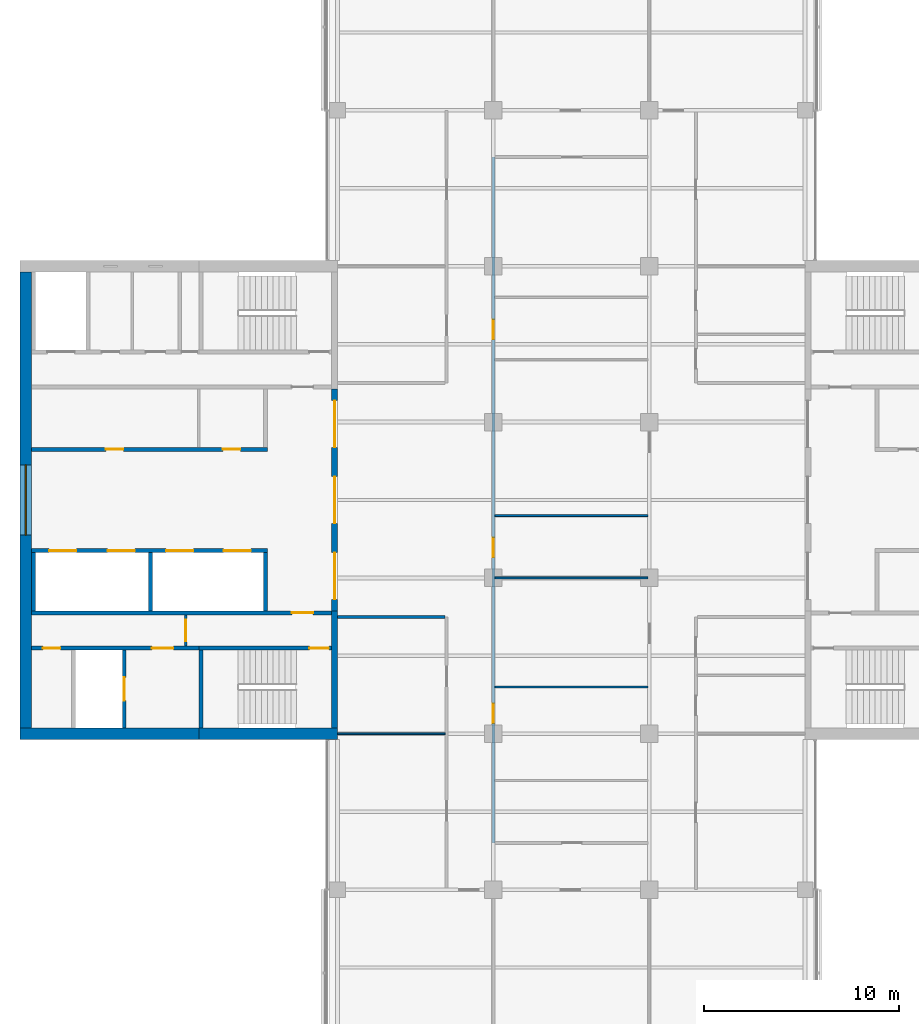
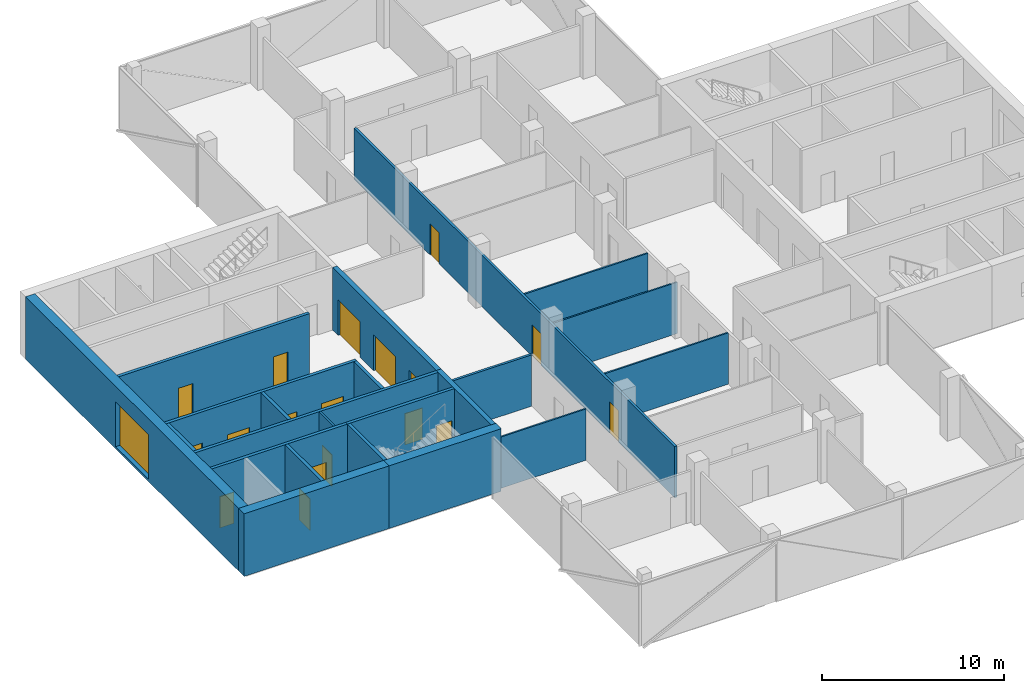
# One storey, part 9 of 15: 22 walls, 18 doors, 1 window, 19 openings.
"""IFC4 building model written with IfcOpenShell, lengths in metres."""

from ifc_helpers import new_model, si_unit, direction, frame, frame_2d, origin, place, context, subcontext, project, spatial, rectangle, extrude, material, layer, layer_set, constituent, constituent_set, type_object, element, fill, save


model = new_model("IFC4")

# Units and contexts
model_context = context("Model", 3, precision=1e-05, world=origin(), true_north=direction((0.0, 1.0)))
body_context = subcontext(model_context, "Body", "Model", "MODEL_VIEW")
ifc_project = project(units=[si_unit("LENGTHUNIT", "METRE"), si_unit("AREAUNIT", "SQUARE_METRE"), si_unit("VOLUMEUNIT", "CUBIC_METRE"), si_unit("PLANEANGLEUNIT", "RADIAN"), si_unit("MASSUNIT", "GRAM", prefix="KILO")], contexts=[model_context])

# Site, building, storey
site_placement = place(None, origin())
site = spatial("IfcSite", under=ifc_project, at=site_placement, CompositionType="ELEMENT")
building_placement = place(site_placement, origin())
building = spatial("IfcBuilding", under=site, at=building_placement, Name="Crosswind Convention Tower", CompositionType="ELEMENT")
storey_placement = place(building_placement, frame((0.0, 0.0, 195.699951171875)))
storey = spatial("IfcBuildingStorey", under=building, at=storey_placement, Name="L41", CompositionType="ELEMENT", Elevation=195.699951171875)

# Wall, openings, doors
ifc_material_1 = material(Name="Concrete C50/60", Category="concrete")
ifc_layer_1 = layer(ifc_material_1, 0.300048828125)
ifc_layer_set_1 = layer_set([ifc_layer_1], Name="Concrete C50/60")
wall_type_1 = type_object("IfcWallType", Name="Concrete inner core wall 300", PredefinedType="SHEAR", material=ifc_layer_set_1)
wall_1_placement = place(storey_placement, frame((112.85009765625, 105.699951171875, 0.0), z_axis=(0.0, 0.0, 1.0), x_axis=(0.0, -1.0, 0.0)))
wall_1 = element("IfcWall", 1, at=wall_1_placement, inside=storey, type_object=wall_type_1, Name="Wall SCR W L41", PredefinedType="SHEAR", context=body_context, shape_type="SweptSolid", body=[
    extrude(rectangle(XDim=11.39990234375, YDim=0.300048828125, at=frame_2d((5.699951171875, 0.0))), origin(), (0.0, 0.0, 1.0), 4.199951171875),
])
opening_1_placement = place(wall_1_placement, frame((0.60009765625, 0.0, 0.0)))
opening_1 = element("IfcOpeningElement", 2, at=opening_1_placement, cuts=wall_1, Name="Opening D100", PredefinedType="OPENING", context=body_context, shape_type="SweptSolid", body=[
    extrude(rectangle(XDim=2.39990234375, YDim=2.39990234375, at=frame_2d((1.199951171875, 1.199951171875))), frame((0.0, 0.159912109375, 0.0), z_axis=(0.0, -1.0, 0.0), x_axis=(1.0, 0.0, 0.0)), (0.0, 0.0, 1.0), 0.320068359375),
])
opening_2_placement = place(wall_1_placement, frame((4.5, 0.0, 0.0)))
opening_2 = element("IfcOpeningElement", 3, at=opening_2_placement, cuts=wall_1, Name="Opening D100", PredefinedType="OPENING", context=body_context, shape_type="SweptSolid", body=[
    extrude(rectangle(XDim=2.39990234375, YDim=2.39990234375, at=frame_2d((1.199951171875, 1.199951171875))), frame((0.0, 0.159912109375, 0.0), z_axis=(0.0, -1.0, 0.0), x_axis=(1.0, 0.0, 0.0)), (0.0, 0.0, 1.0), 0.320068359375),
])
opening_3_placement = place(wall_1_placement, frame((8.39990234375, 0.0, 0.0)))
opening_3 = element("IfcOpeningElement", 4, at=opening_3_placement, cuts=wall_1, Name="Opening D100", PredefinedType="OPENING", context=body_context, shape_type="SweptSolid", body=[
    extrude(rectangle(XDim=2.39990234375, YDim=2.39990234375, at=frame_2d((1.199951171875, 1.199951171875))), frame((0.0, 0.159912109375, 0.0), z_axis=(0.0, -1.0, 0.0), x_axis=(1.0, 0.0, 0.0)), (0.0, 0.0, 1.0), 0.320068359375),
])
ifc_material_2 = material(Name="Steel fire door with glazed vision panels", Category="steel")
door_type_1 = type_object("IfcDoorType", Name="Fire-rated double door 2400x2400", OperationType="DOUBLE_DOOR_SINGLE_SWING", PredefinedType="DOOR", material=ifc_material_2)
door_1_placement = place(opening_1_placement, origin())
door_1 = element("IfcDoor", 5, at=door_1_placement, inside=storey, type_object=door_type_1, Name="Lobby door 1 L41", ObjectType="D100", OperationType="DOUBLE_DOOR_SINGLE_SWING", OverallHeight=2.39990234375, OverallWidth=2.39990234375, PredefinedType="DOOR", context=body_context, shape_type="SweptSolid", body=[
    extrude(rectangle(XDim=2.39990234375, YDim=2.39990234375, at=frame_2d((1.199951171875, 1.199951171875))), frame((0.0, 0.02490234375, 0.0), z_axis=(0.0, -1.0, 0.0), x_axis=(1.0, 0.0, 0.0)), (0.0, 0.0, 1.0), 0.050048828125),
])
fill(opening_1, door_1)
door_2_placement = place(opening_2_placement, origin())
door_2 = element("IfcDoor", 6, at=door_2_placement, inside=storey, type_object=door_type_1, Name="Lobby door 2 L41", ObjectType="D100", OperationType="DOUBLE_DOOR_SINGLE_SWING", OverallHeight=2.39990234375, OverallWidth=2.39990234375, PredefinedType="DOOR", context=body_context, shape_type="SweptSolid", body=[
    extrude(rectangle(XDim=2.39990234375, YDim=2.39990234375, at=frame_2d((1.199951171875, 1.199951171875))), frame((0.0, 0.02490234375, 0.0), z_axis=(0.0, -1.0, 0.0), x_axis=(1.0, 0.0, 0.0)), (0.0, 0.0, 1.0), 0.050048828125),
])
fill(opening_2, door_2)
door_3_placement = place(opening_3_placement, origin())
door_3 = element("IfcDoor", 7, at=door_3_placement, inside=storey, type_object=door_type_1, Name="Lobby door 3 L41", ObjectType="D100", OperationType="DOUBLE_DOOR_SINGLE_SWING", OverallHeight=2.39990234375, OverallWidth=2.39990234375, PredefinedType="DOOR", context=body_context, shape_type="SweptSolid", body=[
    extrude(rectangle(XDim=2.39990234375, YDim=2.39990234375, at=frame_2d((1.199951171875, 1.199951171875))), frame((0.0, 0.02490234375, 0.0), z_axis=(0.0, -1.0, 0.0), x_axis=(1.0, 0.0, 0.0)), (0.0, 0.0, 1.0), 0.050048828125),
])
fill(opening_3, door_3)

# Walls
wall_2_placement = place(storey_placement, frame((112.85009765625, 94.300048828125, 0.0), z_axis=(0.0, 0.0, 1.0), x_axis=(0.0, -1.0, 0.0)))
element("IfcWall", 8, at=wall_2_placement, inside=storey, type_object=wall_type_1, Name="Wall EP W L41", PredefinedType="SHEAR", context=body_context, shape_type="SweptSolid", body=[
    extrude(rectangle(XDim=6.0, YDim=0.300048828125, at=frame_2d((3.0, 0.0))), origin(), (0.0, 0.0, 1.0), 4.199951171875),
])
ifc_layer_2 = layer(ifc_material_1, 0.199951171875)
ifc_layer_set_2 = layer_set([ifc_layer_2], Name="Concrete C50/60")
wall_type_2 = type_object("IfcWallType", Name="Concrete shaft and stair wall 200", PredefinedType="SHEAR", material=ifc_layer_set_2)
for number, where, z_axis, x_axis, name in (
    (9, (109.300048828125, 97.300048828125, 0.0), (0.0, 0.0, 1.0), (0.0, -1.0, 0.0), "Wall RPEND W L41"),
    (10, (103.39990234375, 97.300048828125, 0.0), (0.0, 0.0, 1.0), (0.0, -1.0, 0.0), "Wall RPSEP W L41"),
    (11, (97.39990234375, 97.300048828125, 0.0), (0.0, 0.0, 1.0), (0.0, -1.0, 0.0), "Wall RPEAST W L41"),
):
    element("IfcWall", number, at=place(storey_placement, frame(where, z_axis=z_axis, x_axis=x_axis)), inside=storey, type_object=wall_type_2, Name=name, PredefinedType="SHEAR", context=body_context, shape_type="SweptSolid", body=[
        extrude(rectangle(XDim=3.0, YDim=0.199951171875, at=frame_2d((1.5, 0.0))), origin(), (0.0, 0.0, 1.0), 4.199951171875),
    ])

# Wall, openings, doors
wall_3_placement = place(storey_placement, frame((109.39990234375, 97.39990234375, 0.0), z_axis=(0.0, 0.0, 1.0), x_axis=(-1.0, 0.0, 0.0)))
wall_3 = element("IfcWall", 12, at=wall_3_placement, inside=storey, type_object=wall_type_2, Name="Wall RPFRONT W L41", PredefinedType="SHEAR", context=body_context, shape_type="SweptSolid", body=[
    extrude(rectangle(XDim=12.099853515625, YDim=0.199951171875, at=frame_2d((6.0498046875, 0.0))), origin(), (0.0, 0.0, 1.0), 4.199951171875),
])
opening_4_placement = place(wall_3_placement, frame((0.85009765625, 0.0, 0.0)))
opening_4 = element("IfcOpeningElement", 13, at=opening_4_placement, cuts=wall_3, Name="Opening LD2", PredefinedType="OPENING", context=body_context, shape_type="SweptSolid", body=[
    extrude(rectangle(XDim=1.39990234375, YDim=2.10009765625, at=frame_2d((0.699951171875, 1.050048828125))), frame((0.0, 0.10986328125, 0.0), z_axis=(0.0, -1.0, 0.0), x_axis=(1.0, 0.0, 0.0)), (0.0, 0.0, 1.0), 0.219970703125),
])
opening_5_placement = place(wall_3_placement, frame((3.800048828125, 0.0, 0.0)))
opening_5 = element("IfcOpeningElement", 14, at=opening_5_placement, cuts=wall_3, Name="Opening LD2", PredefinedType="OPENING", context=body_context, shape_type="SweptSolid", body=[
    extrude(rectangle(XDim=1.39990234375, YDim=2.10009765625, at=frame_2d((0.699951171875, 1.050048828125))), frame((0.0, 0.10986328125, 0.0), z_axis=(0.0, -1.0, 0.0), x_axis=(1.0, 0.0, 0.0)), (0.0, 0.0, 1.0), 0.219970703125),
])
opening_6_placement = place(wall_3_placement, frame((6.800048828125, 0.0, 0.0)))
opening_6 = element("IfcOpeningElement", 15, at=opening_6_placement, cuts=wall_3, Name="Opening LD2", PredefinedType="OPENING", context=body_context, shape_type="SweptSolid", body=[
    extrude(rectangle(XDim=1.39990234375, YDim=2.10009765625, at=frame_2d((0.699951171875, 1.050048828125))), frame((0.0, 0.10986328125, 0.0), z_axis=(0.0, -1.0, 0.0), x_axis=(1.0, 0.0, 0.0)), (0.0, 0.0, 1.0), 0.219970703125),
])
opening_7_placement = place(wall_3_placement, frame((9.800048828125, 0.0, 0.0)))
opening_7 = element("IfcOpeningElement", 16, at=opening_7_placement, cuts=wall_3, Name="Opening LD2", PredefinedType="OPENING", context=body_context, shape_type="SweptSolid", body=[
    extrude(rectangle(XDim=1.39990234375, YDim=2.10009765625, at=frame_2d((0.699951171875, 1.050048828125))), frame((0.0, 0.10986328125, 0.0), z_axis=(0.0, -1.0, 0.0), x_axis=(1.0, 0.0, 0.0)), (0.0, 0.0, 1.0), 0.219970703125),
])
ifc_material_3 = material(Name="Stainless steel", Category="steel")
door_type_2 = type_object("IfcDoorType", Name="Lift landing door 1400x2100", OperationType="DOUBLE_DOOR_SLIDING", PredefinedType="DOOR", material=ifc_material_3)
door_4_placement = place(opening_4_placement, origin())
door_4 = element("IfcDoor", 17, at=door_4_placement, inside=storey, type_object=door_type_2, Name="Landing door HR1 L41", ObjectType="LD2", OperationType="DOUBLE_DOOR_SLIDING", OverallHeight=2.10009765625, OverallWidth=1.39990234375, PredefinedType="DOOR", context=body_context, shape_type="SweptSolid", body=[
    extrude(rectangle(XDim=1.39990234375, YDim=2.10009765625, at=frame_2d((0.699951171875, 1.050048828125))), frame((0.0, 0.02490234375, 0.0), z_axis=(0.0, -1.0, 0.0), x_axis=(1.0, 0.0, 0.0)), (0.0, 0.0, 1.0), 0.050048828125),
])
fill(opening_4, door_4)
door_5_placement = place(opening_5_placement, origin())
door_5 = element("IfcDoor", 18, at=door_5_placement, inside=storey, type_object=door_type_2, Name="Landing door HR2 L41", ObjectType="LD2", OperationType="DOUBLE_DOOR_SLIDING", OverallHeight=2.10009765625, OverallWidth=1.39990234375, PredefinedType="DOOR", context=body_context, shape_type="SweptSolid", body=[
    extrude(rectangle(XDim=1.39990234375, YDim=2.10009765625, at=frame_2d((0.699951171875, 1.050048828125))), frame((0.0, 0.02490234375, 0.0), z_axis=(0.0, -1.0, 0.0), x_axis=(1.0, 0.0, 0.0)), (0.0, 0.0, 1.0), 0.050048828125),
])
fill(opening_5, door_5)
door_6_placement = place(opening_6_placement, origin())
door_6 = element("IfcDoor", 19, at=door_6_placement, inside=storey, type_object=door_type_2, Name="Landing door HR3 L41", ObjectType="LD2", OperationType="DOUBLE_DOOR_SLIDING", OverallHeight=2.10009765625, OverallWidth=1.39990234375, PredefinedType="DOOR", context=body_context, shape_type="SweptSolid", body=[
    extrude(rectangle(XDim=1.39990234375, YDim=2.10009765625, at=frame_2d((0.699951171875, 1.050048828125))), frame((0.0, 0.02490234375, 0.0), z_axis=(0.0, -1.0, 0.0), x_axis=(1.0, 0.0, 0.0)), (0.0, 0.0, 1.0), 0.050048828125),
])
fill(opening_6, door_6)
door_7_placement = place(opening_7_placement, origin())
door_7 = element("IfcDoor", 20, at=door_7_placement, inside=storey, type_object=door_type_2, Name="Landing door HR4 L41", ObjectType="LD2", OperationType="DOUBLE_DOOR_SLIDING", OverallHeight=2.10009765625, OverallWidth=1.39990234375, PredefinedType="DOOR", context=body_context, shape_type="SweptSolid", body=[
    extrude(rectangle(XDim=1.39990234375, YDim=2.10009765625, at=frame_2d((0.699951171875, 1.050048828125))), frame((0.0, 0.02490234375, 0.0), z_axis=(0.0, -1.0, 0.0), x_axis=(1.0, 0.0, 0.0)), (0.0, 0.0, 1.0), 0.050048828125),
])
fill(opening_7, door_7)

wall_4_placement = place(storey_placement, frame((109.39990234375, 102.60009765625, 0.0), z_axis=(0.0, 0.0, 1.0), x_axis=(-1.0, 0.0, 0.0)))
wall_4 = element("IfcWall", 21, at=wall_4_placement, inside=storey, type_object=wall_type_2, Name="Wall RMFRONT W L41", PredefinedType="SHEAR", context=body_context, shape_type="SweptSolid", body=[
    extrude(rectangle(XDim=12.099853515625, YDim=0.199951171875, at=frame_2d((6.0498046875, 0.0))), origin(), (0.0, 0.0, 1.0), 4.199951171875),
])
opening_8_placement = place(wall_4_placement, frame((1.384765625, 0.0, 0.0)))
opening_8 = element("IfcOpeningElement", 22, at=opening_8_placement, cuts=wall_4, Name="Opening D106", PredefinedType="OPENING", context=body_context, shape_type="SweptSolid", body=[
    extrude(rectangle(XDim=0.89990234375, YDim=2.10009765625, at=frame_2d((0.449951171875, 1.050048828125))), frame((0.0, 0.10986328125, 0.0), z_axis=(0.0, -1.0, 0.0), x_axis=(1.0, 0.0, 0.0)), (0.0, 0.0, 1.0), 0.219970703125),
])
opening_9_placement = place(wall_4_placement, frame((7.397216796875, 0.0, 0.0)))
opening_9 = element("IfcOpeningElement", 23, at=opening_9_placement, cuts=wall_4, Name="Opening D106", PredefinedType="OPENING", context=body_context, shape_type="SweptSolid", body=[
    extrude(rectangle(XDim=0.89990234375, YDim=2.10009765625, at=frame_2d((0.449951171875, 1.050048828125))), frame((0.0, 0.10986328125, 0.0), z_axis=(0.0, -1.0, 0.0), x_axis=(1.0, 0.0, 0.0)), (0.0, 0.0, 1.0), 0.219970703125),
])
ifc_material_4 = material(Name="Timber door", Category="wood")
door_type_3 = type_object("IfcDoorType", Name="Single leaf door 900x2100", OperationType="NOTDEFINED", PredefinedType="DOOR", material=ifc_material_4)
door_8_placement = place(opening_8_placement, frame((0.89990234375, 0.0, 0.0), z_axis=(0.0, 0.0, 1.0), x_axis=(-1.0, 0.0, 0.0)))
door_8 = element("IfcDoor", 24, at=door_8_placement, inside=storey, type_object=door_type_3, Name="Door to storeroom L41", ObjectType="D106", OperationType="SINGLE_SWING_LEFT", OverallHeight=2.10009765625, OverallWidth=0.89990234375, PredefinedType="DOOR", context=body_context, shape_type="SweptSolid", body=[
    extrude(rectangle(XDim=0.89990234375, YDim=2.10009765625, at=frame_2d((0.449951171875, 1.050048828125))), frame((0.0, 0.02490234375, 0.0), z_axis=(0.0, -1.0, 0.0), x_axis=(1.0, 0.0, 0.0)), (0.0, 0.0, 1.0), 0.050048828125),
])
fill(opening_8, door_8)
door_9_placement = place(opening_9_placement, frame((0.89990234375, 0.0, 0.0), z_axis=(0.0, 0.0, 1.0), x_axis=(-1.0, 0.0, 0.0)))
door_9 = element("IfcDoor", 25, at=door_9_placement, inside=storey, type_object=door_type_3, Name="Door to tenant services room L41", ObjectType="D106", OperationType="SINGLE_SWING_LEFT", OverallHeight=2.10009765625, OverallWidth=0.89990234375, PredefinedType="DOOR", context=body_context, shape_type="SweptSolid", body=[
    extrude(rectangle(XDim=0.89990234375, YDim=2.10009765625, at=frame_2d((0.449951171875, 1.050048828125))), frame((0.0, 0.02490234375, 0.0), z_axis=(0.0, -1.0, 0.0), x_axis=(1.0, 0.0, 0.0)), (0.0, 0.0, 1.0), 0.050048828125),
])
fill(opening_9, door_9)

# Wall, opening, door
wall_5_placement = place(storey_placement, frame((112.699951171875, 94.199951171875, 0.0), z_axis=(0.0, 0.0, 1.0), x_axis=(-1.0, 0.0, 0.0)))
wall_5 = element("IfcWall", 26, at=wall_5_placement, inside=storey, type_object=wall_type_2, Name="Wall HP W L41", PredefinedType="SHEAR", context=body_context, shape_type="SweptSolid", body=[
    extrude(rectangle(XDim=15.39990234375, YDim=0.199951171875, at=frame_2d((7.699951171875, 0.0))), origin(), (0.0, 0.0, 1.0), 4.199951171875),
])
opening_10_placement = place(wall_5_placement, frame((0.949951171875, 0.0, 0.0)))
opening_10 = element("IfcOpeningElement", 27, at=opening_10_placement, cuts=wall_5, Name="Opening D104", PredefinedType="OPENING", context=body_context, shape_type="SweptSolid", body=[
    extrude(rectangle(XDim=1.10009765625, YDim=2.10009765625, at=frame_2d((0.550048828125, 1.050048828125))), frame((0.0, 0.10986328125, 0.0), z_axis=(0.0, -1.0, 0.0), x_axis=(1.0, 0.0, 0.0)), (0.0, 0.0, 1.0), 0.219970703125),
])
ifc_material_5 = material(Name="Steel fire door", Category="steel")
door_type_4 = type_object("IfcDoorType", Name="Fire-rated single door 1100x2100", OperationType="NOTDEFINED", PredefinedType="DOOR", material=ifc_material_5)
door_10_placement = place(opening_10_placement, origin())
door_10 = element("IfcDoor", 28, at=door_10_placement, inside=storey, type_object=door_type_4, Name="Corridor door L41", ObjectType="D104", OperationType="SINGLE_SWING_LEFT", OverallHeight=2.10009765625, OverallWidth=1.10009765625, PredefinedType="DOOR", context=body_context, shape_type="SweptSolid", body=[
    extrude(rectangle(XDim=1.10009765625, YDim=2.10009765625, at=frame_2d((0.550048828125, 1.050048828125))), frame((0.0, 0.02490234375, 0.0), z_axis=(0.0, -1.0, 0.0), x_axis=(1.0, 0.0, 0.0)), (0.0, 0.0, 1.0), 0.050048828125),
])
fill(opening_10, door_10)

# Wall
wall_6_placement = place(storey_placement, frame((106.0, 92.300048828125, 0.0), z_axis=(0.0, 0.0, 1.0), x_axis=(0.0, -1.0, 0.0)))
element("IfcWall", 29, at=wall_6_placement, inside=storey, type_object=wall_type_2, Name="Wall PSE W L41", PredefinedType="SHEAR", context=body_context, shape_type="SweptSolid", body=[
    extrude(rectangle(XDim=4.0, YDim=0.199951171875, at=frame_2d((2.0, 0.0))), origin(), (0.0, 0.0, 1.0), 4.199951171875),
])

# Wall, opening, door
wall_7_placement = place(storey_placement, frame((102.050048828125, 92.300048828125, 0.0), z_axis=(0.0, 0.0, 1.0), x_axis=(0.0, -1.0, 0.0)))
wall_7 = element("IfcWall", 30, at=wall_7_placement, inside=storey, type_object=wall_type_2, Name="Wall PFLW W L41", PredefinedType="SHEAR", context=body_context, shape_type="SweptSolid", body=[
    extrude(rectangle(XDim=4.0, YDim=0.199951171875, at=frame_2d((2.0, 0.0))), origin(), (0.0, 0.0, 1.0), 4.199951171875),
])
opening_11_placement = place(wall_7_placement, frame((1.39990234375, 0.0, 0.0)))
opening_11 = element("IfcOpeningElement", 31, at=opening_11_placement, cuts=wall_7, Name="Opening LD1", PredefinedType="OPENING", context=body_context, shape_type="SweptSolid", body=[
    extrude(rectangle(XDim=1.199951171875, YDim=2.10009765625, at=frame_2d((0.60009765625, 1.050048828125))), frame((0.0, 0.10986328125, 0.0), z_axis=(0.0, -1.0, 0.0), x_axis=(1.0, 0.0, 0.0)), (0.0, 0.0, 1.0), 0.219970703125),
])
door_type_5 = type_object("IfcDoorType", Name="Lift landing door 1200x2100", OperationType="DOUBLE_DOOR_SLIDING", PredefinedType="DOOR", material=ifc_material_3)
door_11_placement = place(opening_11_placement, origin())
door_11 = element("IfcDoor", 32, at=door_11_placement, inside=storey, type_object=door_type_5, Name="Landing door FF2 L41", ObjectType="LD1", OperationType="DOUBLE_DOOR_SLIDING", OverallHeight=2.10009765625, OverallWidth=1.199951171875, PredefinedType="DOOR", context=body_context, shape_type="SweptSolid", body=[
    extrude(rectangle(XDim=1.199951171875, YDim=2.10009765625, at=frame_2d((0.60009765625, 1.050048828125))), frame((0.0, 0.02490234375, 0.0), z_axis=(0.0, -1.0, 0.0), x_axis=(1.0, 0.0, 0.0)), (0.0, 0.0, 1.0), 0.050048828125),
])
fill(opening_11, door_11)

wall_8_placement = place(storey_placement, frame((112.699951171875, 92.39990234375, 0.0), z_axis=(0.0, 0.0, 1.0), x_axis=(-1.0, 0.0, 0.0)))
wall_8 = element("IfcWall", 33, at=wall_8_placement, inside=storey, type_object=wall_type_2, Name="Wall PCW W L41", PredefinedType="SHEAR", context=body_context, shape_type="SweptSolid", body=[
    extrude(rectangle(XDim=6.800048828125, YDim=0.199951171875, at=frame_2d((3.39990234375, 0.0))), origin(), (0.0, 0.0, 1.0), 4.199951171875),
])
opening_12_placement = place(wall_8_placement, frame((0.14990234375, 0.0, 0.0)))
opening_12 = element("IfcOpeningElement", 34, at=opening_12_placement, cuts=wall_8, Name="Opening D103", PredefinedType="OPENING", context=body_context, shape_type="SweptSolid", body=[
    extrude(rectangle(XDim=1.0, YDim=2.10009765625, at=frame_2d((0.5, 1.050048828125))), frame((0.0, 0.10986328125, 0.0), z_axis=(0.0, -1.0, 0.0), x_axis=(1.0, 0.0, 0.0)), (0.0, 0.0, 1.0), 0.219970703125),
])
door_type_6 = type_object("IfcDoorType", Name="Fire-rated single door 1000x2100", OperationType="NOTDEFINED", PredefinedType="DOOR", material=ifc_material_5)
door_12_placement = place(opening_12_placement, origin())
door_12 = element("IfcDoor", 35, at=door_12_placement, inside=storey, type_object=door_type_6, Name="Stair ST3 door L41", ObjectType="D103", OperationType="SINGLE_SWING_LEFT", OverallHeight=2.10009765625, OverallWidth=1.0, PredefinedType="DOOR", context=body_context, shape_type="SweptSolid", body=[
    extrude(rectangle(XDim=1.0, YDim=2.10009765625, at=frame_2d((0.5, 1.050048828125))), frame((0.0, 0.02490234375, 0.0), z_axis=(0.0, -1.0, 0.0), x_axis=(1.0, 0.0, 0.0)), (0.0, 0.0, 1.0), 0.050048828125),
])
fill(opening_12, door_12)

# Wall, openings, doors
wall_9_placement = place(storey_placement, frame((105.89990234375, 92.39990234375, 0.0), z_axis=(0.0, 0.0, 1.0), x_axis=(-1.0, 0.0, 0.0)))
wall_9 = element("IfcWall", 36, at=wall_9_placement, inside=storey, type_object=wall_type_2, Name="Wall PCX W L41", PredefinedType="SHEAR", context=body_context, shape_type="SweptSolid", body=[
    extrude(rectangle(XDim=8.599853515625, YDim=0.199951171875, at=frame_2d((4.2998046875, 0.0))), origin(), (0.0, 0.0, 1.0), 4.199951171875),
])
opening_13_placement = place(wall_9_placement, frame((1.324951171875, 0.0, 0.0)))
opening_13 = element("IfcOpeningElement", 37, at=opening_13_placement, cuts=wall_9, Name="Opening D104", PredefinedType="OPENING", context=body_context, shape_type="SweptSolid", body=[
    extrude(rectangle(XDim=1.10009765625, YDim=2.10009765625, at=frame_2d((0.550048828125, 1.050048828125))), frame((0.0, 0.10986328125, 0.0), z_axis=(0.0, -1.0, 0.0), x_axis=(1.0, 0.0, 0.0)), (0.0, 0.0, 1.0), 0.219970703125),
])
opening_14_placement = place(wall_9_placement, frame((7.125, 0.0, 0.0)))
opening_14 = element("IfcOpeningElement", 38, at=opening_14_placement, cuts=wall_9, Name="Opening D106", PredefinedType="OPENING", context=body_context, shape_type="SweptSolid", body=[
    extrude(rectangle(XDim=0.89990234375, YDim=2.10009765625, at=frame_2d((0.449951171875, 1.050048828125))), frame((0.0, 0.10986328125, 0.0), z_axis=(0.0, -1.0, 0.0), x_axis=(1.0, 0.0, 0.0)), (0.0, 0.0, 1.0), 0.219970703125),
])
door_13_placement = place(opening_13_placement, origin())
door_13 = element("IfcDoor", 39, at=door_13_placement, inside=storey, type_object=door_type_4, Name="Fire-fighting lobby FF2 door L41", ObjectType="D104", OperationType="SINGLE_SWING_RIGHT", OverallHeight=2.10009765625, OverallWidth=1.10009765625, PredefinedType="DOOR", context=body_context, shape_type="SweptSolid", body=[
    extrude(rectangle(XDim=1.10009765625, YDim=2.10009765625, at=frame_2d((0.550048828125, 1.050048828125))), frame((0.0, 0.02490234375, 0.0), z_axis=(0.0, -1.0, 0.0), x_axis=(1.0, 0.0, 0.0)), (0.0, 0.0, 1.0), 0.050048828125),
])
fill(opening_13, door_13)
door_14_placement = place(opening_14_placement, origin())
door_14 = element("IfcDoor", 40, at=door_14_placement, inside=storey, type_object=door_type_3, Name="Door to electrical room L41", ObjectType="D106", OperationType="SINGLE_SWING_RIGHT", OverallHeight=2.10009765625, OverallWidth=0.89990234375, PredefinedType="DOOR", context=body_context, shape_type="SweptSolid", body=[
    extrude(rectangle(XDim=0.89990234375, YDim=2.10009765625, at=frame_2d((0.449951171875, 1.050048828125))), frame((0.0, 0.02490234375, 0.0), z_axis=(0.0, -1.0, 0.0), x_axis=(1.0, 0.0, 0.0)), (0.0, 0.0, 1.0), 0.050048828125),
])
fill(opening_14, door_14)

# Wall, opening, door
ifc_material_6 = material(Name="Gypsum plasterboard partition", Category="gypsum")
ifc_layer_3 = layer(ifc_material_6, 0.125)
ifc_layer_set_3 = layer_set([ifc_layer_3], Name="Drywall partition wall 125")
wall_type_3 = type_object("IfcWallType", Name="Drywall partition wall 125", PredefinedType="PARTITIONING", material=ifc_layer_set_3)
wall_10_placement = place(storey_placement, frame((105.199951171875, 94.10009765625, 0.0), z_axis=(0.0, 0.0, 1.0), x_axis=(0.0, -1.0, 0.0)))
wall_10 = element("IfcWall", 41, at=wall_10_placement, inside=storey, type_object=wall_type_3, Name="Wall PXC1 W L41", PredefinedType="PARTITIONING", context=body_context, shape_type="SweptSolid", body=[
    extrude(rectangle(XDim=1.60009765625, YDim=0.125, at=frame_2d((0.800048828125, 0.0))), origin(), (0.0, 0.0, 1.0), 4.199951171875),
])
opening_15_placement = place(wall_10_placement, frame((0.25, 0.0, 0.0)))
opening_15 = element("IfcOpeningElement", 42, at=opening_15_placement, cuts=wall_10, Name="Opening D104", PredefinedType="OPENING", context=body_context, shape_type="SweptSolid", body=[
    extrude(rectangle(XDim=1.10009765625, YDim=2.10009765625, at=frame_2d((0.550048828125, 1.050048828125))), frame((0.0, 0.072509765625, 0.0), z_axis=(0.0, -1.0, 0.0), x_axis=(1.0, 0.0, 0.0)), (0.0, 0.0, 1.0), 0.14501953125),
])
door_15_placement = place(opening_15_placement, origin())
door_15 = element("IfcDoor", 43, at=door_15_placement, inside=storey, type_object=door_type_4, Name="Corridor smoke door L41", ObjectType="D104", OperationType="SINGLE_SWING_RIGHT", OverallHeight=2.10009765625, OverallWidth=1.10009765625, PredefinedType="DOOR", context=body_context, shape_type="SweptSolid", body=[
    extrude(rectangle(XDim=1.10009765625, YDim=2.10009765625, at=frame_2d((0.550048828125, 1.050048828125))), frame((0.0, 0.02490234375, 0.0), z_axis=(0.0, -1.0, 0.0), x_axis=(1.0, 0.0, 0.0)), (0.0, 0.0, 1.0), 0.050048828125),
])
fill(opening_15, door_15)

# Walls
ifc_material_7 = material(Name="Plasterboard partition", Category="gypsum")
ifc_layer_4 = layer(ifc_material_7, 0.10009765625)
ifc_layer_set_4 = layer_set([ifc_layer_4], Name="PARTITION 100 METAL STUD")
wall_type_4 = type_object("IfcWallType", Name="PARTITION 100 METAL STUD", PredefinedType="PARTITIONING", material=ifc_layer_set_4)
wall_11_placement = place(storey_placement, frame((113.0, 88.0, 0.0), z_axis=(0.0, 0.0, 1.0), x_axis=(1.0, 0.0, 0.0)))
element("IfcWall", 44, at=wall_11_placement, inside=storey, type_object=wall_type_4, Name="Partition wall WT40", PredefinedType="PARTITIONING", context=body_context, shape_type="SweptSolid", body=[
    extrude(rectangle(XDim=5.52490234375, YDim=0.10009765625, at=frame_2d((2.762451171875, 0.0))), origin(), (0.0, 0.0, 1.0), 3.43994140625),
])
for number, where, z_axis, x_axis, name in (
    (45, (121.074951171875, 90.39990234375, 0.0), (0.0, 0.0, 1.0), (1.0, 0.0, 0.0), "Partition wall WT40"),
    (46, (121.074951171875, 96.0, 0.0), (0.0, 0.0, 1.0), (1.0, 0.0, 0.0), "Partition wall WT40"),
    (47, (121.074951171875, 99.199951171875, 0.0), (0.0, 0.0, 1.0), (1.0, 0.0, 0.0), "Partition wall WT40"),
):
    element("IfcWall", number, at=place(storey_placement, frame(where, z_axis=z_axis, x_axis=x_axis)), inside=storey, type_object=wall_type_4, Name=name, PredefinedType="PARTITIONING", context=body_context, shape_type="SweptSolid", body=[
        extrude(rectangle(XDim=7.85009765625, YDim=0.10009765625, at=frame_2d((3.925048828125, 0.0))), origin(), (0.0, 0.0, 1.0), 3.43994140625),
    ])

# Wall, openings, doors
ifc_material_8 = material(Name="Fire-board partition with mineral wool", Category="gypsum")
ifc_layer_5 = layer(ifc_material_8, 0.14990234375)
ifc_layer_set_5 = layer_set([ifc_layer_5], Name="TENANCY WALL 150 TWO-HOUR BOARD")
wall_type_5 = type_object("IfcWallType", Name="TENANCY WALL 150 TWO-HOUR BOARD", PredefinedType="PARTITIONING", material=ifc_layer_set_5)
wall_12_placement = place(storey_placement, frame((121.0, 82.39990234375, 0.0), z_axis=(0.0, 0.0, 1.0), x_axis=(0.0, 1.0, 0.0)))
wall_12 = element("IfcWall", 48, at=wall_12_placement, inside=storey, type_object=wall_type_5, Name="Tenancy wall WT41", PredefinedType="PARTITIONING", context=body_context, shape_type="SweptSolid", body=[
    extrude(rectangle(XDim=35.2001953125, YDim=0.14990234375, at=frame_2d((17.60009765625, 0.0))), origin(), (0.0, 0.0, 1.0), 3.43994140625),
])
opening_16_placement = place(wall_12_placement, frame((6.14990234375, 0.0, 0.0)))
opening_16 = element("IfcOpeningElement", 49, at=opening_16_placement, cuts=wall_12, Name="Opening L41-65", PredefinedType="OPENING", context=body_context, shape_type="SweptSolid", body=[
    extrude(rectangle(XDim=1.0, YDim=2.10009765625, at=frame_2d((0.5, 1.050048828125))), frame((0.0, 0.0849609375, 0.0), z_axis=(0.0, -1.0, 0.0), x_axis=(1.0, 0.0, 0.0)), (0.0, 0.0, 1.0), 0.169921875),
])
opening_17_placement = place(wall_12_placement, frame((14.64990234375, 0.0, 0.0)))
opening_17 = element("IfcOpeningElement", 50, at=opening_17_placement, cuts=wall_12, Name="Opening L41-67", PredefinedType="OPENING", context=body_context, shape_type="SweptSolid", body=[
    extrude(rectangle(XDim=1.0, YDim=2.10009765625, at=frame_2d((0.5, 1.050048828125))), frame((0.0, 0.0849609375, 0.0), z_axis=(0.0, -1.0, 0.0), x_axis=(1.0, 0.0, 0.0)), (0.0, 0.0, 1.0), 0.169921875),
])
opening_18_placement = place(wall_12_placement, frame((25.85009765625, 0.0, 0.0)))
opening_18 = element("IfcOpeningElement", 51, at=opening_18_placement, cuts=wall_12, Name="Opening L41-69", PredefinedType="OPENING", context=body_context, shape_type="SweptSolid", body=[
    extrude(rectangle(XDim=1.0, YDim=2.10009765625, at=frame_2d((0.5, 1.050048828125))), frame((0.0, 0.0849609375, 0.0), z_axis=(0.0, -1.0, 0.0), x_axis=(1.0, 0.0, 0.0)), (0.0, 0.0, 1.0), 0.169921875),
])
ifc_material_9 = material(Name="Timber fire door", Category="wood")
door_type_7 = type_object("IfcDoorType", Name="TENANCY ENTRANCE DOOR 1000X2100 FD30S", OperationType="NOTDEFINED", PredefinedType="DOOR", material=ifc_material_9)
door_16_placement = place(opening_16_placement, frame((1.0, 0.0, 0.0), z_axis=(0.0, 0.0, 1.0), x_axis=(-1.0, 0.0, 0.0)))
door_16 = element("IfcDoor", 52, at=door_16_placement, inside=storey, type_object=door_type_7, Name="Door L41-65", ObjectType="D41", OperationType="SINGLE_SWING_RIGHT", OverallHeight=2.10009765625, OverallWidth=1.0, PredefinedType="DOOR", context=body_context, shape_type="SweptSolid", body=[
    extrude(rectangle(XDim=1.0, YDim=2.10009765625, at=frame_2d((0.5, 1.050048828125))), frame((0.0, 0.02490234375, 0.0), z_axis=(0.0, -1.0, 0.0), x_axis=(1.0, 0.0, 0.0)), (0.0, 0.0, 1.0), 0.050048828125),
])
fill(opening_16, door_16)
door_17_placement = place(opening_17_placement, frame((1.0, 0.0, 0.0), z_axis=(0.0, 0.0, 1.0), x_axis=(-1.0, 0.0, 0.0)))
door_17 = element("IfcDoor", 53, at=door_17_placement, inside=storey, type_object=door_type_7, Name="Door L41-67", ObjectType="D41", OperationType="SINGLE_SWING_RIGHT", OverallHeight=2.10009765625, OverallWidth=1.0, PredefinedType="DOOR", context=body_context, shape_type="SweptSolid", body=[
    extrude(rectangle(XDim=1.0, YDim=2.10009765625, at=frame_2d((0.5, 1.050048828125))), frame((0.0, 0.02490234375, 0.0), z_axis=(0.0, -1.0, 0.0), x_axis=(1.0, 0.0, 0.0)), (0.0, 0.0, 1.0), 0.050048828125),
])
fill(opening_17, door_17)
door_18_placement = place(opening_18_placement, frame((1.0, 0.0, 0.0), z_axis=(0.0, 0.0, 1.0), x_axis=(-1.0, 0.0, 0.0)))
door_18 = element("IfcDoor", 54, at=door_18_placement, inside=storey, type_object=door_type_7, Name="Door L41-69", ObjectType="D41", OperationType="SINGLE_SWING_RIGHT", OverallHeight=2.10009765625, OverallWidth=1.0, PredefinedType="DOOR", context=body_context, shape_type="SweptSolid", body=[
    extrude(rectangle(XDim=1.0, YDim=2.10009765625, at=frame_2d((0.5, 1.050048828125))), frame((0.0, 0.02490234375, 0.0), z_axis=(0.0, -1.0, 0.0), x_axis=(1.0, 0.0, 0.0)), (0.0, 0.0, 1.0), 0.050048828125),
])
fill(opening_18, door_18)

# Walls
wall_13_placement = place(storey_placement, frame((113.0, 94.0, 0.0), z_axis=(0.0, 0.0, 1.0), x_axis=(1.0, 0.0, 0.0)))
element("IfcWall", 55, at=wall_13_placement, inside=storey, type_object=wall_type_5, Name="Tenancy wall WT41", PredefinedType="PARTITIONING", context=body_context, shape_type="SweptSolid", body=[
    extrude(rectangle(XDim=5.52490234375, YDim=0.14990234375, at=frame_2d((2.762451171875, 0.0))), origin(), (0.0, 0.0, 1.0), 3.43994140625),
])
ifc_material_10 = material(Name="Concrete C60/75", Category="concrete")
ifc_constituent_1 = constituent(ifc_material_10, Name="Structure")
ifc_material_11 = material(Name="Terracotta rainscreen", Category="ceramic")
ifc_constituent_2 = constituent(ifc_material_11, Name="Facing")
ifc_constituent_set = constituent_set(constituents=[ifc_constituent_1, ifc_constituent_2], Name="Concrete C60/75, Terracotta rainscreen")
wall_type_6 = type_object("IfcWallType", Name="Terracotta rainscreen on concrete core wall 600", PredefinedType="SHEAR", material=ifc_constituent_set)
wall_14_placement = place(storey_placement, frame((113.0, 88.0, 0.0), z_axis=(0.0, 0.0, 1.0), x_axis=(-1.0, 0.0, 0.0)))
element("IfcWall", 56, at=wall_14_placement, inside=storey, type_object=wall_type_6, Name="Wall N1 W L41", PredefinedType="SHEAR", context=body_context, shape_type="SweptSolid", body=[
    extrude(rectangle(XDim=7.10009765625, YDim=0.60009765625, at=frame_2d((3.550048828125, 0.0))), origin(), (0.0, 0.0, 1.0), 4.199951171875),
])
wall_15_placement = place(storey_placement, frame((105.89990234375, 88.0, 0.0), z_axis=(0.0, 0.0, 1.0), x_axis=(-1.0, 0.0, 0.0)))
element("IfcWall", 57, at=wall_15_placement, inside=storey, type_object=wall_type_6, Name="Wall N2 W L41", PredefinedType="SHEAR", context=body_context, shape_type="SweptSolid", body=[
    extrude(rectangle(XDim=9.199951171875, YDim=0.60009765625, at=frame_2d((4.60009765625, 0.0))), origin(), (0.0, 0.0, 1.0), 4.199951171875),
])

# Wall, opening, window
wall_16_placement = place(storey_placement, frame((97.0, 111.699951171875, 0.0), z_axis=(0.0, 0.0, 1.0), x_axis=(0.0, -1.0, 0.0)))
wall_16 = element("IfcWall", 58, at=wall_16_placement, inside=storey, type_object=wall_type_6, Name="Wall O W L41", PredefinedType="SHEAR", context=body_context, shape_type="SweptSolid", body=[
    extrude(rectangle(XDim=23.39990234375, YDim=0.60009765625, at=frame_2d((11.699951171875, 0.0))), origin(), (0.0, 0.0, 1.0), 4.199951171875),
])
opening_19_placement = place(wall_16_placement, frame((9.89990234375, 0.0, 0.14990234375)))
opening_19 = element("IfcOpeningElement", 59, at=opening_19_placement, cuts=wall_16, Name="Opening W1", PredefinedType="OPENING", context=body_context, shape_type="SweptSolid", body=[
    extrude(rectangle(XDim=3.60009765625, YDim=3.0, at=frame_2d((1.800048828125, 1.5))), frame((0.0, 0.31005859375, 0.0), z_axis=(0.0, -1.0, 0.0), x_axis=(1.0, 0.0, 0.0)), (0.0, 0.0, 1.0), 0.6201171875),
])
ifc_material_12 = material(Name="Clear laminated glass in aluminium frame", Category="aluminium")
window_type = type_object("IfcWindowType", Name="Lobby end window 3600x3000", PartitioningType="SINGLE_PANEL", PredefinedType="WINDOW", material=ifc_material_12)
window_placement = place(opening_19_placement, origin())
window = element("IfcWindow", 60, at=window_placement, inside=storey, type_object=window_type, Name="Lobby end window L41", ObjectType="W1", OverallHeight=3.0, OverallWidth=3.60009765625, PartitioningType="SINGLE_PANEL", PredefinedType="WINDOW", context=body_context, shape_type="SweptSolid", body=[
    extrude(rectangle(XDim=3.60009765625, YDim=3.0, at=frame_2d((1.800048828125, 1.5))), frame((0.0, 0.030029296875, 0.0), z_axis=(0.0, -1.0, 0.0), x_axis=(1.0, 0.0, 0.0)), (0.0, 0.0, 1.0), 0.06005859375),
])
fill(opening_19, window)

save(model, "model.ifc")
